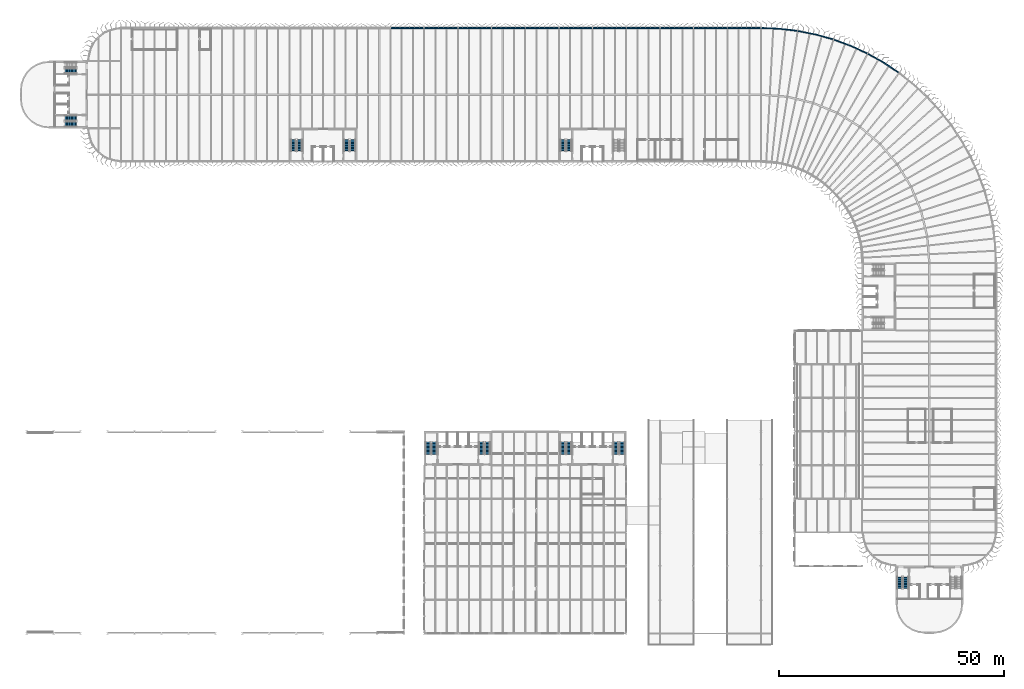
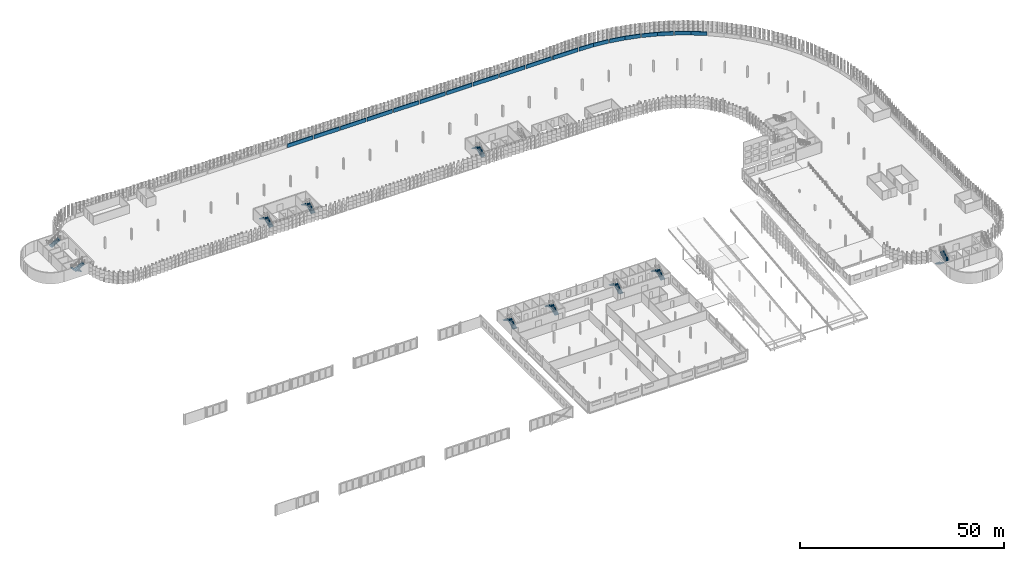
# One storey, part 66 of 199: 19 stair flights, 19 walls, 10 elements without a shape of their own.
"""IFC4 building model written with IfcOpenShell, lengths in metres."""

from ifc_helpers import new_model, si_unit, direction, frame, frame_2d, origin, place, context, subcontext, project, spatial, polyline, rectangle, outline, extrude, material, layer, layer_set, type_object, element, aggregate, save


model = new_model("IFC4")

# Units and contexts
model_context = context("Model", 3, precision=1e-05, world=origin(), true_north=direction((0.0, 1.0)))
body_context = subcontext(model_context, "Body", "Model", "MODEL_VIEW")
ifc_project = project(units=[si_unit("LENGTHUNIT", "METRE"), si_unit("AREAUNIT", "SQUARE_METRE"), si_unit("VOLUMEUNIT", "CUBIC_METRE"), si_unit("PLANEANGLEUNIT", "RADIAN"), si_unit("MASSUNIT", "GRAM", prefix="KILO")], contexts=[model_context])

# Site, building, storey
site_placement = place(None, origin())
site = spatial("IfcSite", under=ifc_project, at=site_placement, CompositionType="ELEMENT")
building_placement = place(site_placement, origin())
building = spatial("IfcBuilding", under=site, at=building_placement, Name="Parallax Yard Mobility Hub", CompositionType="ELEMENT")
storey_placement = place(building_placement, frame((0.0, 0.0, 9.89990234375)))
storey = spatial("IfcBuildingStorey", under=building, at=storey_placement, Name="L03", CompositionType="ELEMENT", Elevation=9.89990234375)

# Walls
ifc_material = material(Name="Concrete fc' 35 MPa", Category="concrete")
ifc_layer = layer(ifc_material, 0.25)
ifc_layer_set = layer_set([ifc_layer], Name="Deck-edge barrier wall, Concrete fc' 35 MPa precast, 250")
wall_type = type_object("IfcWallType", Name="Deck-edge barrier wall, Concrete fc' 35 MPa precast, 250", PredefinedType="SOLIDWALL", material=ifc_layer_set)
wall_1_placement = place(storey_placement, frame((203.153564453125, 132.43505859375, 0.0), z_axis=(0.0, 0.0, 1.0), x_axis=(-0.83203132877, 0.554728643524, 0.0)))
element("IfcWall", 1, at=wall_1_placement, inside=storey, type_object=wall_type, Name="Deck-edge barrier wall bay 47-1 level L03", PredefinedType="SOLIDWALL", context=body_context, shape_type="SweptSolid", body=[
    extrude(rectangle(XDim=3.9609375, YDim=0.25, at=frame_2d((1.98046875, 0.0))), origin(), (0.0, 0.0, 1.0), 1.10009765625),
])
wall_2_placement = place(storey_placement, frame((199.847412109375, 134.638916015625, 0.0), z_axis=(0.0, 0.0, 1.0), x_axis=(-0.872675295028, 0.488300961957, 0.0)))
element("IfcWall", 2, at=wall_2_placement, inside=storey, type_object=wall_type, Name="Deck-edge barrier wall bay 47-2 level L03", PredefinedType="SOLIDWALL", context=body_context, shape_type="SweptSolid", body=[
    extrude(rectangle(XDim=3.958251953125, YDim=0.25, at=frame_2d((1.97900390625, 0.0))), origin(), (0.0, 0.0, 1.0), 1.10009765625),
])
wall_3_placement = place(storey_placement, frame((196.13330078125, 136.7041015625, 0.0), z_axis=(0.0, 0.0, 1.0), x_axis=(-0.907988262617, 0.418995602542, 0.0)))
element("IfcWall", 3, at=wall_3_placement, inside=storey, type_object=wall_type, Name="Deck-edge barrier wall bay 48-1 level L03", PredefinedType="SOLIDWALL", context=body_context, shape_type="SweptSolid", body=[
    extrude(rectangle(XDim=3.958740234375, YDim=0.25, at=frame_2d((1.9794921875, 0.0))), origin(), (0.0, 0.0, 1.0), 1.10009765625),
])
wall_4_placement = place(storey_placement, frame((192.52734375, 138.367431640625, 0.0), z_axis=(0.0, 0.0, 1.0), x_axis=(-0.93784539105, 0.347053342422, 0.0)))
element("IfcWall", 4, at=wall_4_placement, inside=storey, type_object=wall_type, Name="Deck-edge barrier wall bay 48-2 level L03", PredefinedType="SOLIDWALL", context=body_context, shape_type="SweptSolid", body=[
    extrude(rectangle(XDim=3.96044921875, YDim=0.25, at=frame_2d((1.980224609375, 0.0))), origin(), (0.0, 0.0, 1.0), 1.10009765625),
])
wall_5_placement = place(storey_placement, frame((188.5361328125, 139.831787109375, 0.0), z_axis=(0.0, 0.0, 1.0), x_axis=(-0.962732314644, 0.270456078393, 0.0)))
element("IfcWall", 5, at=wall_5_placement, inside=storey, type_object=wall_type, Name="Deck-edge barrier wall bay 49-1 level L03", PredefinedType="SOLIDWALL", context=body_context, shape_type="SweptSolid", body=[
    extrude(rectangle(XDim=3.95654296875, YDim=0.25, at=frame_2d((1.978271484375, 0.0))), origin(), (0.0, 0.0, 1.0), 1.10009765625),
])
wall_6_placement = place(storey_placement, frame((184.715087890625, 140.90478515625, 0.0), z_axis=(0.0, 0.0, 1.0), x_axis=(-0.980850156695, 0.194763882975, 0.0)))
element("IfcWall", 6, at=wall_6_placement, inside=storey, type_object=wall_type, Name="Deck-edge barrier wall bay 49-2 level L03", PredefinedType="SOLIDWALL", context=body_context, shape_type="SweptSolid", body=[
    extrude(rectangle(XDim=3.958740234375, YDim=0.25, at=frame_2d((1.9794921875, 0.0))), origin(), (0.0, 0.0, 1.0), 1.10009765625),
])
wall_7_placement = place(storey_placement, frame((180.544189453125, 141.721435546875, 0.0), z_axis=(0.0, 0.0, 1.0), x_axis=(-0.993030098497, 0.117861034608, 0.0)))
element("IfcWall", 7, at=wall_7_placement, inside=storey, type_object=wall_type, Name="Deck-edge barrier wall bay 50-1 level L03", PredefinedType="SOLIDWALL", context=body_context, shape_type="SweptSolid", body=[
    extrude(rectangle(XDim=3.95849609375, YDim=0.25, at=frame_2d((1.979248046875, 0.0))), origin(), (0.0, 0.0, 1.0), 1.10009765625),
])
wall_8_placement = place(storey_placement, frame((176.60107421875, 142.18896484375, 0.0), z_axis=(0.0, 0.0, 1.0), x_axis=(-0.999191275027, 0.040209400773, 0.0)))
element("IfcWall", 8, at=wall_8_placement, inside=storey, type_object=wall_type, Name="Deck-edge barrier wall bay 50-2 level L03", PredefinedType="SOLIDWALL", context=body_context, shape_type="SweptSolid", body=[
    extrude(rectangle(XDim=3.958740234375, YDim=0.25, at=frame_2d((1.9794921875, 0.0))), origin(), (0.0, 0.0, 1.0), 1.10009765625),
])
for number, where, z_axis, x_axis, name in (
    (9, (172.348388671875, 142.354248046875, 0.0), (0.0, 0.0, 1.0), (-1.0, 0.0, 0.0), "Deck-edge barrier wall bay 51 level L03"),
    (10, (164.848388671875, 142.354248046875, 0.0), (0.0, 0.0, 1.0), (-1.0, 0.0, 0.0), "Deck-edge barrier wall bay 52 level L03"),
    (11, (157.348388671875, 142.354248046875, 0.0), (0.0, 0.0, 1.0), (-1.0, 0.0, 0.0), "Deck-edge barrier wall bay 53 level L03"),
    (12, (149.848388671875, 142.354248046875, 0.0), (0.0, 0.0, 1.0), (-1.0, 0.0, 0.0), "Deck-edge barrier wall bay 54 level L03"),
    (13, (142.348388671875, 142.354248046875, 0.0), (0.0, 0.0, 1.0), (-1.0, 0.0, 0.0), "Deck-edge barrier wall bay 55 level L03"),
    (14, (134.848388671875, 142.354248046875, 0.0), (0.0, 0.0, 1.0), (-1.0, 0.0, 0.0), "Deck-edge barrier wall bay 56 level L03"),
    (15, (127.348388671875, 142.354248046875, 0.0), (0.0, 0.0, 1.0), (-1.0, 0.0, 0.0), "Deck-edge barrier wall bay 57 level L03"),
    (16, (119.848388671875, 142.354248046875, 0.0), (0.0, 0.0, 1.0), (-1.0, 0.0, 0.0), "Deck-edge barrier wall bay 58 level L03"),
    (17, (112.348388671875, 142.354248046875, 0.0), (0.0, 0.0, 1.0), (-1.0, 0.0, 0.0), "Deck-edge barrier wall bay 59 level L03"),
    (18, (104.848388671875, 142.354248046875, 0.0), (0.0, 0.0, 1.0), (-1.0, 0.0, 0.0), "Deck-edge barrier wall bay 60 level L03"),
    (19, (97.348388671875, 142.354248046875, 0.0), (0.0, 0.0, 1.0), (-1.0, 0.0, 0.0), "Deck-edge barrier wall bay 61 level L03"),
):
    element("IfcWall", number, at=place(storey_placement, frame(where, z_axis=z_axis, x_axis=x_axis)), inside=storey, type_object=wall_type, Name=name, PredefinedType="SOLIDWALL", context=body_context, shape_type="SweptSolid", body=[
        extrude(rectangle(XDim=7.19677734375, YDim=0.25, at=frame_2d((3.598388671875, 0.0))), origin(), (0.0, 0.0, 1.0), 1.10009765625),
    ])

# Stair, stair flights
stair_type_1 = type_object("IfcStairType", Name="Exit stair 1200 dog-leg", PredefinedType="HALF_TURN_STAIR", material=ifc_material)
stair_1_placement = place(storey_placement, origin())
stair_1 = element("IfcStair", 20, at=stair_1_placement, inside=storey, type_object=stair_type_1, Name="L03 Exit stair 1 of core C-W", PredefinedType="HALF_TURN_STAIR")
stair_flight_type_1 = type_object("IfcStairFlightType", Name="Exit stair flight 1200", PredefinedType="STRAIGHT", material=ifc_material)
stair_flight_1_placement = place(storey_placement, frame((20.10009765625, 122.25, 0.0), z_axis=(0.0, 0.0, 1.0), x_axis=(-1.0, 0.0, 0.0)))
stair_flight_1 = element("IfcStairFlight", 21, at=stair_flight_1_placement, type_object=stair_flight_type_1, Name="ST1 flight 1", NumberOfRisers=10, NumberOfTreads=9, PredefinedType="STRAIGHT", RiserHeight=0.165, TreadLength=0.285, context=body_context, shape_type="SweptSolid", body=[
    extrude(outline(polyline([(0.0, 0.0), (0.0, 0.1650390625), (0.284912109375, 0.1650390625), (0.284912109375, 0.330078125), (0.570068359375, 0.330078125), (0.570068359375, 0.4951171875), (0.85498046875, 0.4951171875), (0.85498046875, 0.659912109375), (1.139892578125, 0.659912109375), (1.139892578125, 0.824951171875), (1.425048828125, 0.824951171875), (1.425048828125, 0.989990234375), (1.7099609375, 0.989990234375), (1.7099609375, 1.155029296875), (1.9951171875, 1.155029296875), (1.9951171875, 1.320068359375), (2.280029296875, 1.320068359375), (2.280029296875, 1.485107421875), (2.56494140625, 1.485107421875), (2.56494140625, 1.64990234375), (2.56494140625, 1.311767578125), (0.299072265625, 0.0), (0.0, 0.0)])), frame((0.0, 0.60009765625, 0.0), z_axis=(0.0, -1.0, 0.0), x_axis=(1.0, 0.0, 0.0)), (0.0, 0.0, 1.0), 1.199951171875),
])
stair_flight_2_placement = place(storey_placement, frame((17.534912109375, 120.89990234375, 1.650146484375), z_axis=(0.0, 0.0, 1.0), x_axis=(1.0, 0.0, 0.0)))
stair_flight_2 = element("IfcStairFlight", 22, at=stair_flight_2_placement, type_object=stair_flight_type_1, Name="ST1 flight 2", NumberOfRisers=10, NumberOfTreads=9, PredefinedType="STRAIGHT", RiserHeight=0.165, TreadLength=0.285, context=body_context, shape_type="SweptSolid", body=[
    extrude(outline(polyline([(0.0, 0.0), (0.0, 0.1650390625), (0.284912109375, 0.1650390625), (0.284912109375, 0.330078125), (0.570068359375, 0.330078125), (0.570068359375, 0.4951171875), (0.85498046875, 0.4951171875), (0.85498046875, 0.659912109375), (1.139892578125, 0.659912109375), (1.139892578125, 0.824951171875), (1.425048828125, 0.824951171875), (1.425048828125, 0.989990234375), (1.7099609375, 0.989990234375), (1.7099609375, 1.155029296875), (1.9951171875, 1.155029296875), (1.9951171875, 1.320068359375), (2.280029296875, 1.320068359375), (2.280029296875, 1.485107421875), (2.56494140625, 1.485107421875), (2.56494140625, 1.64990234375), (2.56494140625, 1.311767578125), (0.299072265625, 0.0), (0.0, 0.0)])), frame((0.0, 0.60009765625, 0.0), z_axis=(0.0, -1.0, 0.0), x_axis=(1.0, 0.0, 0.0)), (0.0, 0.0, 1.0), 1.199951171875),
])
aggregate(stair_1, [stair_flight_1, stair_flight_2])

# Stair, stair flight
stair_2_placement = place(storey_placement, origin())
stair_2 = element("IfcStair", 23, at=stair_2_placement, inside=storey, type_object=stair_type_1, Name="L03 Exit stair 2 of core C-W", PredefinedType="HALF_TURN_STAIR")
stair_flight_3_placement = place(storey_placement, frame((17.534912109375, 132.75, 1.650146484375), z_axis=(0.0, 0.0, 1.0), x_axis=(1.0, 0.0, 0.0)))
stair_flight_3 = element("IfcStairFlight", 24, at=stair_flight_3_placement, type_object=stair_flight_type_1, Name="ST2 flight 2", NumberOfRisers=10, NumberOfTreads=9, PredefinedType="STRAIGHT", RiserHeight=0.165, TreadLength=0.285, context=body_context, shape_type="SweptSolid", body=[
    extrude(outline(polyline([(0.0, 0.0), (0.0, 0.1650390625), (0.284912109375, 0.1650390625), (0.284912109375, 0.330078125), (0.570068359375, 0.330078125), (0.570068359375, 0.4951171875), (0.85498046875, 0.4951171875), (0.85498046875, 0.659912109375), (1.139892578125, 0.659912109375), (1.139892578125, 0.824951171875), (1.425048828125, 0.824951171875), (1.425048828125, 0.989990234375), (1.7099609375, 0.989990234375), (1.7099609375, 1.155029296875), (1.9951171875, 1.155029296875), (1.9951171875, 1.320068359375), (2.280029296875, 1.320068359375), (2.280029296875, 1.485107421875), (2.56494140625, 1.485107421875), (2.56494140625, 1.64990234375), (2.56494140625, 1.311767578125), (0.299072265625, 0.0), (0.0, 0.0)])), frame((0.0, 0.60009765625, 0.0), z_axis=(0.0, -1.0, 0.0), x_axis=(1.0, 0.0, 0.0)), (0.0, 0.0, 1.0), 1.199951171875),
])
aggregate(stair_2, [stair_flight_3])

# Stair, stair flights
stair_3_placement = place(storey_placement, origin())
stair_3 = element("IfcStair", 25, at=stair_3_placement, inside=storey, type_object=stair_type_1, Name="L03 Exit stair 1 of core C-N1", PredefinedType="HALF_TURN_STAIR")
stair_flight_4_placement = place(storey_placement, frame((81.60009765625, 114.89990234375, 0.0), z_axis=(0.0, 0.0, 1.0), x_axis=(0.0, 1.0, 0.0)))
stair_flight_4 = element("IfcStairFlight", 26, at=stair_flight_4_placement, type_object=stair_flight_type_1, Name="ST3 flight 1", NumberOfRisers=10, NumberOfTreads=9, PredefinedType="STRAIGHT", RiserHeight=0.165, TreadLength=0.285, context=body_context, shape_type="SweptSolid", body=[
    extrude(outline(polyline([(0.0, 0.0), (0.0, 0.1650390625), (0.284912109375, 0.1650390625), (0.284912109375, 0.330078125), (0.570068359375, 0.330078125), (0.570068359375, 0.4951171875), (0.85498046875, 0.4951171875), (0.85498046875, 0.659912109375), (1.139892578125, 0.659912109375), (1.139892578125, 0.824951171875), (1.425048828125, 0.824951171875), (1.425048828125, 0.989990234375), (1.7099609375, 0.989990234375), (1.7099609375, 1.155029296875), (1.9951171875, 1.155029296875), (1.9951171875, 1.320068359375), (2.280029296875, 1.320068359375), (2.280029296875, 1.485107421875), (2.56494140625, 1.485107421875), (2.56494140625, 1.64990234375), (2.56494140625, 1.311767578125), (0.299072265625, 0.0), (0.0, 0.0)])), frame((0.0, 0.60009765625, 0.0), z_axis=(0.0, -1.0, 0.0), x_axis=(1.0, 0.0, 0.0)), (0.0, 0.0, 1.0), 1.199951171875),
])
stair_flight_5_placement = place(storey_placement, frame((80.25, 117.465087890625, 1.650146484375), z_axis=(0.0, 0.0, 1.0), x_axis=(0.0, -1.0, 0.0)))
stair_flight_5 = element("IfcStairFlight", 27, at=stair_flight_5_placement, type_object=stair_flight_type_1, Name="ST3 flight 2", NumberOfRisers=10, NumberOfTreads=9, PredefinedType="STRAIGHT", RiserHeight=0.165, TreadLength=0.285, context=body_context, shape_type="SweptSolid", body=[
    extrude(outline(polyline([(0.0, 0.0), (0.0, 0.1650390625), (0.284912109375, 0.1650390625), (0.284912109375, 0.330078125), (0.570068359375, 0.330078125), (0.570068359375, 0.4951171875), (0.85498046875, 0.4951171875), (0.85498046875, 0.659912109375), (1.139892578125, 0.659912109375), (1.139892578125, 0.824951171875), (1.425048828125, 0.824951171875), (1.425048828125, 0.989990234375), (1.7099609375, 0.989990234375), (1.7099609375, 1.155029296875), (1.9951171875, 1.155029296875), (1.9951171875, 1.320068359375), (2.280029296875, 1.320068359375), (2.280029296875, 1.485107421875), (2.56494140625, 1.485107421875), (2.56494140625, 1.64990234375), (2.56494140625, 1.311767578125), (0.299072265625, 0.0), (0.0, 0.0)])), frame((0.0, 0.60009765625, 0.0), z_axis=(0.0, -1.0, 0.0), x_axis=(1.0, 0.0, 0.0)), (0.0, 0.0, 1.0), 1.199951171875),
])
aggregate(stair_3, [stair_flight_4, stair_flight_5])

stair_4_placement = place(storey_placement, origin())
stair_4 = element("IfcStair", 28, at=stair_4_placement, inside=storey, type_object=stair_type_1, Name="L03 Exit stair 2 of core C-N1", PredefinedType="HALF_TURN_STAIR")
stair_flight_6_placement = place(storey_placement, frame((69.75, 114.89990234375, 0.0), z_axis=(0.0, 0.0, 1.0), x_axis=(0.0, 1.0, 0.0)))
stair_flight_6 = element("IfcStairFlight", 29, at=stair_flight_6_placement, type_object=stair_flight_type_1, Name="ST4 flight 1", NumberOfRisers=10, NumberOfTreads=9, PredefinedType="STRAIGHT", RiserHeight=0.165, TreadLength=0.285, context=body_context, shape_type="SweptSolid", body=[
    extrude(outline(polyline([(0.0, 0.0), (0.0, 0.1650390625), (0.284912109375, 0.1650390625), (0.284912109375, 0.330078125), (0.570068359375, 0.330078125), (0.570068359375, 0.4951171875), (0.85498046875, 0.4951171875), (0.85498046875, 0.659912109375), (1.139892578125, 0.659912109375), (1.139892578125, 0.824951171875), (1.425048828125, 0.824951171875), (1.425048828125, 0.989990234375), (1.7099609375, 0.989990234375), (1.7099609375, 1.155029296875), (1.9951171875, 1.155029296875), (1.9951171875, 1.320068359375), (2.280029296875, 1.320068359375), (2.280029296875, 1.485107421875), (2.56494140625, 1.485107421875), (2.56494140625, 1.64990234375), (2.56494140625, 1.311767578125), (0.299072265625, 0.0), (0.0, 0.0)])), frame((0.0, 0.60009765625, 0.0), z_axis=(0.0, -1.0, 0.0), x_axis=(1.0, 0.0, 0.0)), (0.0, 0.0, 1.0), 1.199951171875),
])
stair_flight_7_placement = place(storey_placement, frame((68.39990234375, 117.465087890625, 1.650146484375), z_axis=(0.0, 0.0, 1.0), x_axis=(0.0, -1.0, 0.0)))
stair_flight_7 = element("IfcStairFlight", 30, at=stair_flight_7_placement, type_object=stair_flight_type_1, Name="ST4 flight 2", NumberOfRisers=10, NumberOfTreads=9, PredefinedType="STRAIGHT", RiserHeight=0.165, TreadLength=0.285, context=body_context, shape_type="SweptSolid", body=[
    extrude(outline(polyline([(0.0, 0.0), (0.0, 0.1650390625), (0.284912109375, 0.1650390625), (0.284912109375, 0.330078125), (0.570068359375, 0.330078125), (0.570068359375, 0.4951171875), (0.85498046875, 0.4951171875), (0.85498046875, 0.659912109375), (1.139892578125, 0.659912109375), (1.139892578125, 0.824951171875), (1.425048828125, 0.824951171875), (1.425048828125, 0.989990234375), (1.7099609375, 0.989990234375), (1.7099609375, 1.155029296875), (1.9951171875, 1.155029296875), (1.9951171875, 1.320068359375), (2.280029296875, 1.320068359375), (2.280029296875, 1.485107421875), (2.56494140625, 1.485107421875), (2.56494140625, 1.64990234375), (2.56494140625, 1.311767578125), (0.299072265625, 0.0), (0.0, 0.0)])), frame((0.0, 0.60009765625, 0.0), z_axis=(0.0, -1.0, 0.0), x_axis=(1.0, 0.0, 0.0)), (0.0, 0.0, 1.0), 1.199951171875),
])
aggregate(stair_4, [stair_flight_6, stair_flight_7])

stair_5_placement = place(storey_placement, origin())
stair_5 = element("IfcStair", 31, at=stair_5_placement, inside=storey, type_object=stair_type_1, Name="L03 Exit stair 2 of core C-N2", PredefinedType="HALF_TURN_STAIR")
stair_flight_8_placement = place(storey_placement, frame((129.75, 114.89990234375, 0.0), z_axis=(0.0, 0.0, 1.0), x_axis=(0.0, 1.0, 0.0)))
stair_flight_8 = element("IfcStairFlight", 32, at=stair_flight_8_placement, type_object=stair_flight_type_1, Name="ST6 flight 1", NumberOfRisers=10, NumberOfTreads=9, PredefinedType="STRAIGHT", RiserHeight=0.165, TreadLength=0.285, context=body_context, shape_type="SweptSolid", body=[
    extrude(outline(polyline([(0.0, 0.0), (0.0, 0.1650390625), (0.284912109375, 0.1650390625), (0.284912109375, 0.330078125), (0.570068359375, 0.330078125), (0.570068359375, 0.4951171875), (0.85498046875, 0.4951171875), (0.85498046875, 0.659912109375), (1.139892578125, 0.659912109375), (1.139892578125, 0.824951171875), (1.425048828125, 0.824951171875), (1.425048828125, 0.989990234375), (1.7099609375, 0.989990234375), (1.7099609375, 1.155029296875), (1.9951171875, 1.155029296875), (1.9951171875, 1.320068359375), (2.280029296875, 1.320068359375), (2.280029296875, 1.485107421875), (2.56494140625, 1.485107421875), (2.56494140625, 1.64990234375), (2.56494140625, 1.311767578125), (0.299072265625, 0.0), (0.0, 0.0)])), frame((0.0, 0.60009765625, 0.0), z_axis=(0.0, -1.0, 0.0), x_axis=(1.0, 0.0, 0.0)), (0.0, 0.0, 1.0), 1.199951171875),
])
stair_flight_9_placement = place(storey_placement, frame((128.39990234375, 117.465087890625, 1.650146484375), z_axis=(0.0, 0.0, 1.0), x_axis=(0.0, -1.0, 0.0)))
stair_flight_9 = element("IfcStairFlight", 33, at=stair_flight_9_placement, type_object=stair_flight_type_1, Name="ST6 flight 2", NumberOfRisers=10, NumberOfTreads=9, PredefinedType="STRAIGHT", RiserHeight=0.165, TreadLength=0.285, context=body_context, shape_type="SweptSolid", body=[
    extrude(outline(polyline([(0.0, 0.0), (0.0, 0.1650390625), (0.284912109375, 0.1650390625), (0.284912109375, 0.330078125), (0.570068359375, 0.330078125), (0.570068359375, 0.4951171875), (0.85498046875, 0.4951171875), (0.85498046875, 0.659912109375), (1.139892578125, 0.659912109375), (1.139892578125, 0.824951171875), (1.425048828125, 0.824951171875), (1.425048828125, 0.989990234375), (1.7099609375, 0.989990234375), (1.7099609375, 1.155029296875), (1.9951171875, 1.155029296875), (1.9951171875, 1.320068359375), (2.280029296875, 1.320068359375), (2.280029296875, 1.485107421875), (2.56494140625, 1.485107421875), (2.56494140625, 1.64990234375), (2.56494140625, 1.311767578125), (0.299072265625, 0.0), (0.0, 0.0)])), frame((0.0, 0.60009765625, 0.0), z_axis=(0.0, -1.0, 0.0), x_axis=(1.0, 0.0, 0.0)), (0.0, 0.0, 1.0), 1.199951171875),
])
aggregate(stair_5, [stair_flight_8, stair_flight_9])

stair_6_placement = place(storey_placement, origin())
stair_6 = element("IfcStair", 34, at=stair_6_placement, inside=storey, type_object=stair_type_1, Name="L03 Exit stair 2 of core C-S", PredefinedType="HALF_TURN_STAIR")
stair_flight_10_placement = place(storey_placement, frame((203.39990234375, 20.10009765625, 0.0), z_axis=(0.0, 0.0, 1.0), x_axis=(0.0, -1.0, 0.0)))
stair_flight_10 = element("IfcStairFlight", 35, at=stair_flight_10_placement, type_object=stair_flight_type_1, Name="ST10 flight 1", NumberOfRisers=10, NumberOfTreads=9, PredefinedType="STRAIGHT", RiserHeight=0.165, TreadLength=0.285, context=body_context, shape_type="SweptSolid", body=[
    extrude(outline(polyline([(0.0, 0.0), (0.0, 0.1650390625), (0.284912109375, 0.1650390625), (0.284912109375, 0.330078125), (0.570068359375, 0.330078125), (0.570068359375, 0.4951171875), (0.85498046875, 0.4951171875), (0.85498046875, 0.659912109375), (1.139892578125, 0.659912109375), (1.139892578125, 0.824951171875), (1.425048828125, 0.824951171875), (1.425048828125, 0.989990234375), (1.7099609375, 0.989990234375), (1.7099609375, 1.155029296875), (1.9951171875, 1.155029296875), (1.9951171875, 1.320068359375), (2.280029296875, 1.320068359375), (2.280029296875, 1.485107421875), (2.56494140625, 1.485107421875), (2.56494140625, 1.64990234375), (2.56494140625, 1.311767578125), (0.299072265625, 0.0), (0.0, 0.0)])), frame((0.0, 0.60009765625, 0.0), z_axis=(0.0, -1.0, 0.0), x_axis=(1.0, 0.0, 0.0)), (0.0, 0.0, 1.0), 1.199951171875),
])
stair_flight_11_placement = place(storey_placement, frame((204.75, 17.534912109375, 1.650146484375), z_axis=(0.0, 0.0, 1.0), x_axis=(0.0, 1.0, 0.0)))
stair_flight_11 = element("IfcStairFlight", 36, at=stair_flight_11_placement, type_object=stair_flight_type_1, Name="ST10 flight 2", NumberOfRisers=10, NumberOfTreads=9, PredefinedType="STRAIGHT", RiserHeight=0.165, TreadLength=0.285, context=body_context, shape_type="SweptSolid", body=[
    extrude(outline(polyline([(0.0, 0.0), (0.0, 0.1650390625), (0.284912109375, 0.1650390625), (0.284912109375, 0.330078125), (0.570068359375, 0.330078125), (0.570068359375, 0.4951171875), (0.85498046875, 0.4951171875), (0.85498046875, 0.659912109375), (1.139892578125, 0.659912109375), (1.139892578125, 0.824951171875), (1.425048828125, 0.824951171875), (1.425048828125, 0.989990234375), (1.7099609375, 0.989990234375), (1.7099609375, 1.155029296875), (1.9951171875, 1.155029296875), (1.9951171875, 1.320068359375), (2.280029296875, 1.320068359375), (2.280029296875, 1.485107421875), (2.56494140625, 1.485107421875), (2.56494140625, 1.64990234375), (2.56494140625, 1.311767578125), (0.299072265625, 0.0), (0.0, 0.0)])), frame((0.0, 0.60009765625, 0.0), z_axis=(0.0, -1.0, 0.0), x_axis=(1.0, 0.0, 0.0)), (0.0, 0.0, 1.0), 1.199951171875),
])
aggregate(stair_6, [stair_flight_10, stair_flight_11])

stair_type_2 = type_object("IfcStairType", Name="Sports deck stair 1200 dog-leg", PredefinedType="HALF_TURN_STAIR", material=ifc_material)
stair_7_placement = place(storey_placement, origin())
stair_7 = element("IfcStair", 37, at=stair_7_placement, inside=storey, type_object=stair_type_2, Name="L03 Exit stair 1 of core C6-W", PredefinedType="HALF_TURN_STAIR")
stair_flight_type_2 = type_object("IfcStairFlightType", Name="Sports deck stair flight 1200", PredefinedType="STRAIGHT", material=ifc_material)
stair_flight_12_placement = place(storey_placement, frame((99.75, 47.39990234375, 0.0), z_axis=(0.0, 0.0, 1.0), x_axis=(0.0, 1.0, 0.0)))
stair_flight_12 = element("IfcStairFlight", 38, at=stair_flight_12_placement, type_object=stair_flight_type_2, Name="ST11 flight 1", NumberOfRisers=10, NumberOfTreads=9, PredefinedType="STRAIGHT", RiserHeight=0.165, TreadLength=0.3, context=body_context, shape_type="SweptSolid", body=[
    extrude(outline(polyline([(0.0, 0.0), (0.0, 0.1650390625), (0.300048828125, 0.1650390625), (0.300048828125, 0.330078125), (0.60009765625, 0.330078125), (0.60009765625, 0.4951171875), (0.89990234375, 0.4951171875), (0.89990234375, 0.659912109375), (1.199951171875, 0.659912109375), (1.199951171875, 0.824951171875), (1.5, 0.824951171875), (1.5, 0.989990234375), (1.800048828125, 0.989990234375), (1.800048828125, 1.155029296875), (2.10009765625, 1.155029296875), (2.10009765625, 1.320068359375), (2.39990234375, 1.320068359375), (2.39990234375, 1.485107421875), (2.699951171875, 1.485107421875), (2.699951171875, 1.64990234375), (2.699951171875, 1.31396484375), (0.31103515625, 0.0), (0.0, 0.0)])), frame((0.0, 0.60009765625, 0.0), z_axis=(0.0, -1.0, 0.0), x_axis=(1.0, 0.0, 0.0)), (0.0, 0.0, 1.0), 1.199951171875),
])
stair_flight_13_placement = place(storey_placement, frame((98.39990234375, 50.10009765625, 1.650146484375), z_axis=(0.0, 0.0, 1.0), x_axis=(0.0, -1.0, 0.0)))
stair_flight_13 = element("IfcStairFlight", 39, at=stair_flight_13_placement, type_object=stair_flight_type_2, Name="ST11 flight 2", NumberOfRisers=10, NumberOfTreads=9, PredefinedType="STRAIGHT", RiserHeight=0.165, TreadLength=0.3, context=body_context, shape_type="SweptSolid", body=[
    extrude(outline(polyline([(0.0, 0.0), (0.0, 0.1650390625), (0.300048828125, 0.1650390625), (0.300048828125, 0.330078125), (0.60009765625, 0.330078125), (0.60009765625, 0.4951171875), (0.89990234375, 0.4951171875), (0.89990234375, 0.659912109375), (1.199951171875, 0.659912109375), (1.199951171875, 0.824951171875), (1.5, 0.824951171875), (1.5, 0.989990234375), (1.800048828125, 0.989990234375), (1.800048828125, 1.155029296875), (2.10009765625, 1.155029296875), (2.10009765625, 1.320068359375), (2.39990234375, 1.320068359375), (2.39990234375, 1.485107421875), (2.699951171875, 1.485107421875), (2.699951171875, 1.64990234375), (2.699951171875, 1.31396484375), (0.31103515625, 0.0), (0.0, 0.0)])), frame((0.0, 0.60009765625, 0.0), z_axis=(0.0, -1.0, 0.0), x_axis=(1.0, 0.0, 0.0)), (0.0, 0.0, 1.0), 1.199951171875),
])
aggregate(stair_7, [stair_flight_12, stair_flight_13])

stair_8_placement = place(storey_placement, origin())
stair_8 = element("IfcStair", 40, at=stair_8_placement, inside=storey, type_object=stair_type_2, Name="L03 Exit stair 2 of core C6-W", PredefinedType="HALF_TURN_STAIR")
stair_flight_14_placement = place(storey_placement, frame((111.60009765625, 47.39990234375, 0.0), z_axis=(0.0, 0.0, 1.0), x_axis=(0.0, 1.0, 0.0)))
stair_flight_14 = element("IfcStairFlight", 41, at=stair_flight_14_placement, type_object=stair_flight_type_2, Name="ST12 flight 1", NumberOfRisers=10, NumberOfTreads=9, PredefinedType="STRAIGHT", RiserHeight=0.165, TreadLength=0.3, context=body_context, shape_type="SweptSolid", body=[
    extrude(outline(polyline([(0.0, 0.0), (0.0, 0.1650390625), (0.300048828125, 0.1650390625), (0.300048828125, 0.330078125), (0.60009765625, 0.330078125), (0.60009765625, 0.4951171875), (0.89990234375, 0.4951171875), (0.89990234375, 0.659912109375), (1.199951171875, 0.659912109375), (1.199951171875, 0.824951171875), (1.5, 0.824951171875), (1.5, 0.989990234375), (1.800048828125, 0.989990234375), (1.800048828125, 1.155029296875), (2.10009765625, 1.155029296875), (2.10009765625, 1.320068359375), (2.39990234375, 1.320068359375), (2.39990234375, 1.485107421875), (2.699951171875, 1.485107421875), (2.699951171875, 1.64990234375), (2.699951171875, 1.31396484375), (0.31103515625, 0.0), (0.0, 0.0)])), frame((0.0, 0.60009765625, 0.0), z_axis=(0.0, -1.0, 0.0), x_axis=(1.0, 0.0, 0.0)), (0.0, 0.0, 1.0), 1.199951171875),
])
stair_flight_15_placement = place(storey_placement, frame((110.25, 50.10009765625, 1.650146484375), z_axis=(0.0, 0.0, 1.0), x_axis=(0.0, -1.0, 0.0)))
stair_flight_15 = element("IfcStairFlight", 42, at=stair_flight_15_placement, type_object=stair_flight_type_2, Name="ST12 flight 2", NumberOfRisers=10, NumberOfTreads=9, PredefinedType="STRAIGHT", RiserHeight=0.165, TreadLength=0.3, context=body_context, shape_type="SweptSolid", body=[
    extrude(outline(polyline([(0.0, 0.0), (0.0, 0.1650390625), (0.300048828125, 0.1650390625), (0.300048828125, 0.330078125), (0.60009765625, 0.330078125), (0.60009765625, 0.4951171875), (0.89990234375, 0.4951171875), (0.89990234375, 0.659912109375), (1.199951171875, 0.659912109375), (1.199951171875, 0.824951171875), (1.5, 0.824951171875), (1.5, 0.989990234375), (1.800048828125, 0.989990234375), (1.800048828125, 1.155029296875), (2.10009765625, 1.155029296875), (2.10009765625, 1.320068359375), (2.39990234375, 1.320068359375), (2.39990234375, 1.485107421875), (2.699951171875, 1.485107421875), (2.699951171875, 1.64990234375), (2.699951171875, 1.31396484375), (0.31103515625, 0.0), (0.0, 0.0)])), frame((0.0, 0.60009765625, 0.0), z_axis=(0.0, -1.0, 0.0), x_axis=(1.0, 0.0, 0.0)), (0.0, 0.0, 1.0), 1.199951171875),
])
aggregate(stair_8, [stair_flight_14, stair_flight_15])

stair_9_placement = place(storey_placement, origin())
stair_9 = element("IfcStair", 43, at=stair_9_placement, inside=storey, type_object=stair_type_2, Name="L03 Exit stair 1 of core C6-E", PredefinedType="HALF_TURN_STAIR")
stair_flight_16_placement = place(storey_placement, frame((129.75, 47.39990234375, 0.0), z_axis=(0.0, 0.0, 1.0), x_axis=(0.0, 1.0, 0.0)))
stair_flight_16 = element("IfcStairFlight", 44, at=stair_flight_16_placement, type_object=stair_flight_type_2, Name="ST13 flight 1", NumberOfRisers=10, NumberOfTreads=9, PredefinedType="STRAIGHT", RiserHeight=0.165, TreadLength=0.3, context=body_context, shape_type="SweptSolid", body=[
    extrude(outline(polyline([(0.0, 0.0), (0.0, 0.1650390625), (0.300048828125, 0.1650390625), (0.300048828125, 0.330078125), (0.60009765625, 0.330078125), (0.60009765625, 0.4951171875), (0.89990234375, 0.4951171875), (0.89990234375, 0.659912109375), (1.199951171875, 0.659912109375), (1.199951171875, 0.824951171875), (1.5, 0.824951171875), (1.5, 0.989990234375), (1.800048828125, 0.989990234375), (1.800048828125, 1.155029296875), (2.10009765625, 1.155029296875), (2.10009765625, 1.320068359375), (2.39990234375, 1.320068359375), (2.39990234375, 1.485107421875), (2.699951171875, 1.485107421875), (2.699951171875, 1.64990234375), (2.699951171875, 1.31396484375), (0.31103515625, 0.0), (0.0, 0.0)])), frame((0.0, 0.60009765625, 0.0), z_axis=(0.0, -1.0, 0.0), x_axis=(1.0, 0.0, 0.0)), (0.0, 0.0, 1.0), 1.199951171875),
])
stair_flight_17_placement = place(storey_placement, frame((128.39990234375, 50.10009765625, 1.650146484375), z_axis=(0.0, 0.0, 1.0), x_axis=(0.0, -1.0, 0.0)))
stair_flight_17 = element("IfcStairFlight", 45, at=stair_flight_17_placement, type_object=stair_flight_type_2, Name="ST13 flight 2", NumberOfRisers=10, NumberOfTreads=9, PredefinedType="STRAIGHT", RiserHeight=0.165, TreadLength=0.3, context=body_context, shape_type="SweptSolid", body=[
    extrude(outline(polyline([(0.0, 0.0), (0.0, 0.1650390625), (0.300048828125, 0.1650390625), (0.300048828125, 0.330078125), (0.60009765625, 0.330078125), (0.60009765625, 0.4951171875), (0.89990234375, 0.4951171875), (0.89990234375, 0.659912109375), (1.199951171875, 0.659912109375), (1.199951171875, 0.824951171875), (1.5, 0.824951171875), (1.5, 0.989990234375), (1.800048828125, 0.989990234375), (1.800048828125, 1.155029296875), (2.10009765625, 1.155029296875), (2.10009765625, 1.320068359375), (2.39990234375, 1.320068359375), (2.39990234375, 1.485107421875), (2.699951171875, 1.485107421875), (2.699951171875, 1.64990234375), (2.699951171875, 1.31396484375), (0.31103515625, 0.0), (0.0, 0.0)])), frame((0.0, 0.60009765625, 0.0), z_axis=(0.0, -1.0, 0.0), x_axis=(1.0, 0.0, 0.0)), (0.0, 0.0, 1.0), 1.199951171875),
])
aggregate(stair_9, [stair_flight_16, stair_flight_17])

stair_10_placement = place(storey_placement, origin())
stair_10 = element("IfcStair", 46, at=stair_10_placement, inside=storey, type_object=stair_type_2, Name="L03 Exit stair 2 of core C6-E", PredefinedType="HALF_TURN_STAIR")
stair_flight_18_placement = place(storey_placement, frame((141.60009765625, 47.39990234375, 0.0), z_axis=(0.0, 0.0, 1.0), x_axis=(0.0, 1.0, 0.0)))
stair_flight_18 = element("IfcStairFlight", 47, at=stair_flight_18_placement, type_object=stair_flight_type_2, Name="ST14 flight 1", NumberOfRisers=10, NumberOfTreads=9, PredefinedType="STRAIGHT", RiserHeight=0.165, TreadLength=0.3, context=body_context, shape_type="SweptSolid", body=[
    extrude(outline(polyline([(0.0, 0.0), (0.0, 0.1650390625), (0.300048828125, 0.1650390625), (0.300048828125, 0.330078125), (0.60009765625, 0.330078125), (0.60009765625, 0.4951171875), (0.89990234375, 0.4951171875), (0.89990234375, 0.659912109375), (1.199951171875, 0.659912109375), (1.199951171875, 0.824951171875), (1.5, 0.824951171875), (1.5, 0.989990234375), (1.800048828125, 0.989990234375), (1.800048828125, 1.155029296875), (2.10009765625, 1.155029296875), (2.10009765625, 1.320068359375), (2.39990234375, 1.320068359375), (2.39990234375, 1.485107421875), (2.699951171875, 1.485107421875), (2.699951171875, 1.64990234375), (2.699951171875, 1.31396484375), (0.31103515625, 0.0), (0.0, 0.0)])), frame((0.0, 0.60009765625, 0.0), z_axis=(0.0, -1.0, 0.0), x_axis=(1.0, 0.0, 0.0)), (0.0, 0.0, 1.0), 1.199951171875),
])
stair_flight_19_placement = place(storey_placement, frame((140.25, 50.10009765625, 1.650146484375), z_axis=(0.0, 0.0, 1.0), x_axis=(0.0, -1.0, 0.0)))
stair_flight_19 = element("IfcStairFlight", 48, at=stair_flight_19_placement, type_object=stair_flight_type_2, Name="ST14 flight 2", NumberOfRisers=10, NumberOfTreads=9, PredefinedType="STRAIGHT", RiserHeight=0.165, TreadLength=0.3, context=body_context, shape_type="SweptSolid", body=[
    extrude(outline(polyline([(0.0, 0.0), (0.0, 0.1650390625), (0.300048828125, 0.1650390625), (0.300048828125, 0.330078125), (0.60009765625, 0.330078125), (0.60009765625, 0.4951171875), (0.89990234375, 0.4951171875), (0.89990234375, 0.659912109375), (1.199951171875, 0.659912109375), (1.199951171875, 0.824951171875), (1.5, 0.824951171875), (1.5, 0.989990234375), (1.800048828125, 0.989990234375), (1.800048828125, 1.155029296875), (2.10009765625, 1.155029296875), (2.10009765625, 1.320068359375), (2.39990234375, 1.320068359375), (2.39990234375, 1.485107421875), (2.699951171875, 1.485107421875), (2.699951171875, 1.64990234375), (2.699951171875, 1.31396484375), (0.31103515625, 0.0), (0.0, 0.0)])), frame((0.0, 0.60009765625, 0.0), z_axis=(0.0, -1.0, 0.0), x_axis=(1.0, 0.0, 0.0)), (0.0, 0.0, 1.0), 1.199951171875),
])
aggregate(stair_10, [stair_flight_18, stair_flight_19])

save(model, "model.ifc")
